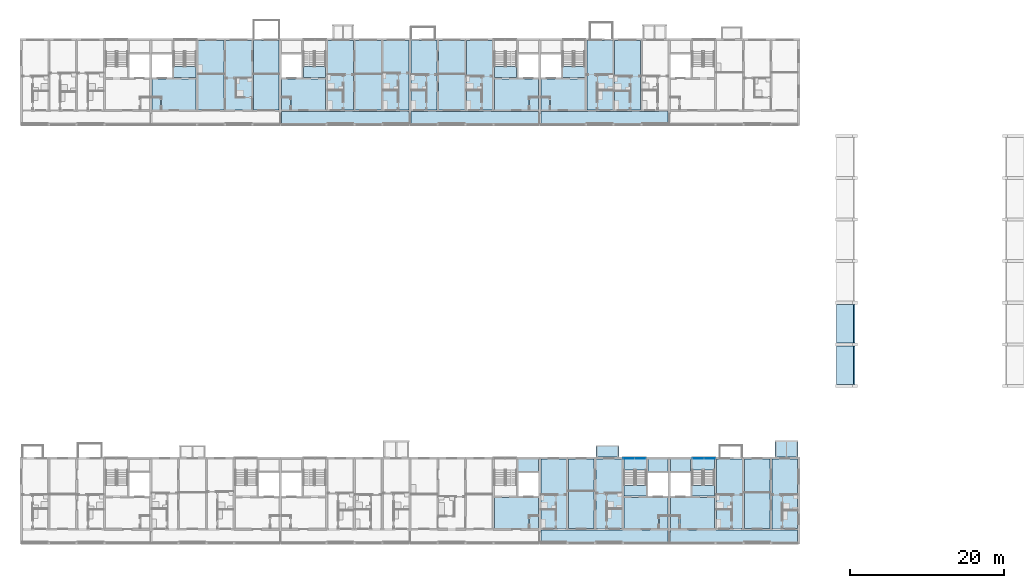
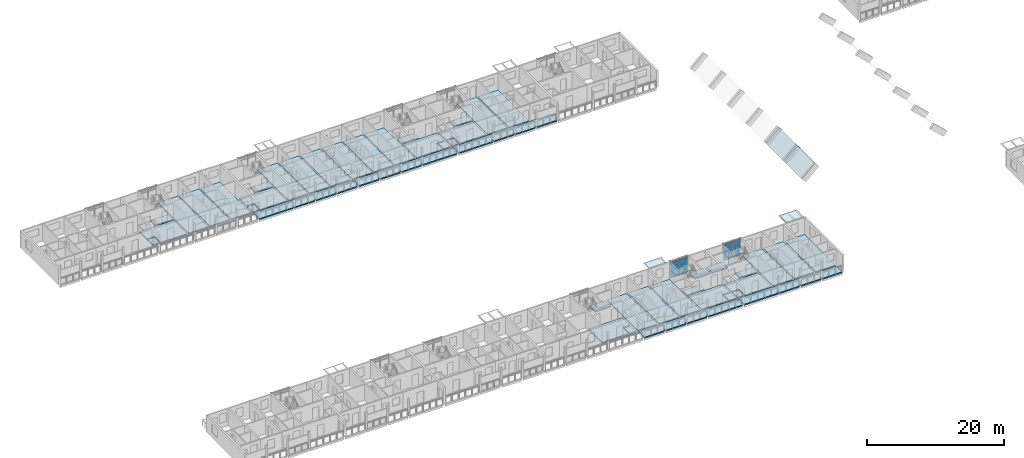
# One storey, part 25 of 98: 51 slabs, 8 plates, 4 elements without a shape of their own.
"""IFC4 building model written with IfcOpenShell, lengths in metres."""

from ifc_helpers import new_model, si_unit, direction, frame, origin, origin_2d, place, context, subcontext, project, spatial, polyline, rectangle, outline, extrude, material, layer, layer_set, type_object, element, aggregate, save


model = new_model("IFC4")

# Units and contexts
model_context = context("Model", 3, precision=1e-05, world=origin(), true_north=direction((0.0, 1.0)))
body_context = subcontext(model_context, "Body", "Model", "MODEL_VIEW")
ifc_project = project(units=[si_unit("LENGTHUNIT", "METRE"), si_unit("AREAUNIT", "SQUARE_METRE"), si_unit("VOLUMEUNIT", "CUBIC_METRE"), si_unit("PLANEANGLEUNIT", "RADIAN"), si_unit("MASSUNIT", "GRAM", prefix="KILO")], contexts=[model_context])

# Site, building, storey
site_placement = place(None, origin())
site = spatial("IfcSite", under=ifc_project, at=site_placement, CompositionType="ELEMENT")
building_placement = place(site_placement, origin())
building = spatial("IfcBuilding", under=site, at=building_placement, Name="Ridgestep Commons", CompositionType="ELEMENT")
storey_placement = place(building_placement, frame((0.0, 0.0, 12.0)))
storey = spatial("IfcBuildingStorey", under=building, at=storey_placement, Name="L04", CompositionType="ELEMENT", Elevation=12.0)

# Slabs
ifc_material_1 = material(Name="Precast concrete C40/50", Category="concrete")
ifc_layer_1 = layer(ifc_material_1, 0.199951171875)
ifc_layer_set_1 = layer_set([ifc_layer_1], Name="Gallery slab 200")
slab_type_1 = type_object("IfcSlabType", Name="Gallery slab 200", PredefinedType="FLOOR", material=ifc_layer_set_1)
slab_1_placement = place(storey_placement, frame((0.0, 0.0, -0.199951171875)))
element("IfcSlab", 1, at=slab_1_placement, inside=storey, type_object=slab_type_1, Name="Gallery slab A5 L04", PredefinedType="FLOOR", context=body_context, shape_type="SweptSolid", body=[
    extrude(outline(polyline([(95.85009765625, 13.550048828125), (79.35009765625, 13.550048828125), (79.35009765625, 11.75), (82.675048828125, 11.75), (82.675048828125, 12.0), (82.925048828125, 12.0), (82.925048828125, 11.75), (86.27490234375, 11.75), (86.27490234375, 12.0), (86.52490234375, 12.0), (86.52490234375, 11.75), (89.875, 11.75), (89.875, 12.0), (90.125, 12.0), (90.125, 11.75), (95.85009765625, 11.75), (95.85009765625, 13.550048828125)])), origin(), (0.0, 0.0, 1.0), 0.199951171875),
])
slab_2_placement = place(storey_placement, frame((0.0, 0.0, -0.199951171875)))
element("IfcSlab", 2, at=slab_2_placement, inside=storey, type_object=slab_type_1, Name="Gallery slab A6 L04", PredefinedType="FLOOR", context=body_context, shape_type="SweptSolid", body=[
    extrude(outline(polyline([(112.64990234375, 13.550048828125), (96.14990234375, 13.550048828125), (96.14990234375, 11.75), (101.875, 11.75), (101.875, 12.0), (102.125, 12.0), (102.125, 11.75), (105.47509765625, 11.75), (105.47509765625, 12.0), (105.72509765625, 12.0), (105.72509765625, 11.75), (109.074951171875, 11.75), (109.074951171875, 12.0), (109.324951171875, 12.0), (109.324951171875, 11.75), (112.64990234375, 11.75), (112.64990234375, 13.550048828125)])), origin(), (0.0, 0.0, 1.0), 0.199951171875),
])
slab_3_placement = place(storey_placement, frame((0.0, 0.0, -0.199951171875)))
element("IfcSlab", 3, at=slab_3_placement, inside=storey, type_object=slab_type_1, Name="Gallery slab B3 L04", PredefinedType="FLOOR", context=body_context, shape_type="SweptSolid", body=[
    extrude(outline(polyline([(62.25, 67.800048828125), (45.75, 67.800048828125), (45.75, 66.0), (51.47509765625, 66.0), (51.47509765625, 66.25), (51.72509765625, 66.25), (51.72509765625, 66.0), (55.074951171875, 66.0), (55.074951171875, 66.25), (55.324951171875, 66.25), (55.324951171875, 66.0), (58.675048828125, 66.0), (58.675048828125, 66.25), (58.925048828125, 66.25), (58.925048828125, 66.0), (62.25, 66.0), (62.25, 67.800048828125)])), origin(), (0.0, 0.0, 1.0), 0.199951171875),
])
slab_4_placement = place(storey_placement, frame((0.0, 0.0, -0.199951171875)))
element("IfcSlab", 4, at=slab_4_placement, inside=storey, type_object=slab_type_1, Name="Gallery slab B4 L04", PredefinedType="FLOOR", context=body_context, shape_type="SweptSolid", body=[
    extrude(outline(polyline([(79.050048828125, 67.800048828125), (62.550048828125, 67.800048828125), (62.550048828125, 66.0), (65.875, 66.0), (65.875, 66.25), (66.125, 66.25), (66.125, 66.0), (69.47509765625, 66.0), (69.47509765625, 66.25), (69.72509765625, 66.25), (69.72509765625, 66.0), (73.074951171875, 66.0), (73.074951171875, 66.25), (73.324951171875, 66.25), (73.324951171875, 66.0), (79.050048828125, 66.0), (79.050048828125, 67.800048828125)])), origin(), (0.0, 0.0, 1.0), 0.199951171875),
])
slab_5_placement = place(storey_placement, frame((0.0, 0.0, -0.199951171875)))
element("IfcSlab", 5, at=slab_5_placement, inside=storey, type_object=slab_type_1, Name="Gallery slab B5 L04", PredefinedType="FLOOR", context=body_context, shape_type="SweptSolid", body=[
    extrude(outline(polyline([(95.85009765625, 67.800048828125), (79.35009765625, 67.800048828125), (79.35009765625, 66.0), (85.074951171875, 66.0), (85.074951171875, 66.25), (85.324951171875, 66.25), (85.324951171875, 66.0), (88.675048828125, 66.0), (88.675048828125, 66.25), (88.925048828125, 66.25), (88.925048828125, 66.0), (92.27490234375, 66.0), (92.27490234375, 66.25), (92.52490234375, 66.25), (92.52490234375, 66.0), (95.85009765625, 66.0), (95.85009765625, 67.800048828125)])), origin(), (0.0, 0.0, 1.0), 0.199951171875),
])

# Curtain wall, plates
ifc_material_2 = material(Name="Aluminium 6063-T6 and glass", Category="aluminium")
curtain_wall_type = type_object("IfcCurtainWallType", Name="Curtain wall stair strip", PredefinedType="NOTDEFINED", material=ifc_material_2)
curtain_wall_1_placement = place(storey_placement, origin())
curtain_wall_1 = element("IfcCurtainWall", 6, at=curtain_wall_1_placement, inside=storey, type_object=curtain_wall_type, Name="Curtain wall A5C level 04", PredefinedType="NOTDEFINED")
ifc_material_3 = material(Name="Glass laminated 6/16/6 low-emissivity", Category="glass")
ifc_layer_2 = layer(ifc_material_3, 0.028076171875)
ifc_layer_set_2 = layer_set([ifc_layer_2], Name="Glazing panel 28")
plate_type_1 = type_object("IfcPlateType", Name="Glazing panel 28", PredefinedType="CURTAIN_PANEL", material=ifc_layer_set_2)
plate_1_placement = place(storey_placement, frame((90.771240234375, 22.830078125, 0.06005859375), z_axis=(0.0, 0.0, 1.0), x_axis=(1.0, 0.0, 0.0)))
plate_1 = element("IfcPlate", 7, at=plate_1_placement, type_object=plate_type_1, Name="CW1 panel 1.1", PredefinedType="CURTAIN_PANEL", context=body_context, shape_type="SweptSolid", body=[
    extrude(rectangle(XDim=1.422607421875, YDim=0.028076171875, at=origin_2d()), origin(), (0.0, 0.0, 1.0), 2.5),
])
plate_2_placement = place(storey_placement, frame((92.253662109375, 22.830078125, 0.06005859375), z_axis=(0.0, 0.0, 1.0), x_axis=(1.0, 0.0, 0.0)))
plate_2 = element("IfcPlate", 8, at=plate_2_placement, type_object=plate_type_1, Name="CW1 panel 2.1", PredefinedType="CURTAIN_PANEL", context=body_context, shape_type="SweptSolid", body=[
    extrude(rectangle(XDim=1.422607421875, YDim=0.028076171875, at=origin_2d()), origin(), (0.0, 0.0, 1.0), 2.5),
])

curtain_wall_2_placement = place(storey_placement, origin())
curtain_wall_2 = element("IfcCurtainWall", 9, at=curtain_wall_2_placement, inside=storey, type_object=curtain_wall_type, Name="Curtain wall A6C level 04", PredefinedType="NOTDEFINED")
plate_3_placement = place(storey_placement, frame((99.746337890625, 22.830078125, 0.06005859375), z_axis=(0.0, 0.0, 1.0), x_axis=(1.0, 0.0, 0.0)))
plate_3 = element("IfcPlate", 10, at=plate_3_placement, type_object=plate_type_1, Name="CW1 panel 1.1", PredefinedType="CURTAIN_PANEL", context=body_context, shape_type="SweptSolid", body=[
    extrude(rectangle(XDim=1.422607421875, YDim=0.028076171875, at=origin_2d()), origin(), (0.0, 0.0, 1.0), 2.5),
])
plate_4_placement = place(storey_placement, frame((101.228759765625, 22.830078125, 0.06005859375), z_axis=(0.0, 0.0, 1.0), x_axis=(1.0, 0.0, 0.0)))
plate_4 = element("IfcPlate", 11, at=plate_4_placement, type_object=plate_type_1, Name="CW1 panel 2.1", PredefinedType="CURTAIN_PANEL", context=body_context, shape_type="SweptSolid", body=[
    extrude(rectangle(XDim=1.422607421875, YDim=0.028076171875, at=origin_2d()), origin(), (0.0, 0.0, 1.0), 2.5),
])

# Slabs
ifc_material_4 = material(Name="Precast concrete C50/60", Category="concrete")
ifc_layer_3 = layer(ifc_material_4, 0.199951171875)
ifc_layer_set_3 = layer_set([ifc_layer_3], Name="Hall roof plank 200")
slab_type_2 = type_object("IfcSlabType", Name="Hall roof plank 200", PredefinedType="ROOF", material=ifc_layer_set_3)
for number, where, z_axis, x_axis, name in (
    (12, (117.70068359375, 32.39990234375, 2.32861328125), (-0.680984042462, 0.0, 0.732298254751), (0.732298254751, 0.0, 0.680984042462), "Hall barrel vault panel 3"),
    (13, (117.70068359375, 37.800048828125, 2.32861328125), (-0.680984042462, 0.0, 0.732298254751), (0.732298254751, 0.0, 0.680984042462), "Hall barrel vault panel 15"),
):
    element("IfcSlab", number, at=place(storey_placement, frame(where, z_axis=z_axis, x_axis=x_axis)), inside=storey, type_object=slab_type_2, Name=name, PredefinedType="ROOF", context=body_context, shape_type="SweptSolid", body=[
        extrude(outline(polyline([(0.0, 0.0), (3.021176589449583, 0.0), (3.021176589449583, 5.0), (0.0, 5.0), (0.0, 0.0)])), origin(), (0.0, 0.0, -1.0), 0.199951171875),
    ])
ifc_material_5 = material(Name="Precast concrete C50/60", Category="concrete")
ifc_layer_4 = layer(ifc_material_5, 0.199951171875)
ifc_layer_set_4 = layer_set([ifc_layer_4], Name="Hollow-core plank 200")
slab_type_3 = type_object("IfcSlabType", Name="Hollow-core plank 200", PredefinedType="FLOOR", material=ifc_layer_set_4)
slab_6_placement = place(storey_placement, frame((0.0, 0.0, -0.199951171875)))
element("IfcSlab", 14, at=slab_6_placement, inside=storey, type_object=slab_type_3, Name="Floor plank A5T1 L04", PredefinedType="FLOOR", context=body_context, shape_type="SweptSolid", body=[
    extrude(outline(polyline([(82.675048828125, 13.75), (82.675048828125, 22.75), (79.35009765625, 22.75), (79.35009765625, 13.75), (82.675048828125, 13.75)])), origin(), (0.0, 0.0, 1.0), 0.199951171875),
])
slab_7_placement = place(storey_placement, frame((0.0, 0.0, -0.199951171875)))
element("IfcSlab", 15, at=slab_7_placement, inside=storey, type_object=slab_type_3, Name="Floor plank A5T2 L04", PredefinedType="FLOOR", context=body_context, shape_type="SweptSolid", body=[
    extrude(outline(polyline([(86.27490234375, 13.75), (86.27490234375, 22.75), (82.925048828125, 22.75), (82.925048828125, 13.75), (86.27490234375, 13.75)])), origin(), (0.0, 0.0, 1.0), 0.199951171875),
])
slab_8_placement = place(storey_placement, frame((0.0, 0.0, -0.199951171875)))
element("IfcSlab", 16, at=slab_8_placement, inside=storey, type_object=slab_type_3, Name="Floor plank A5T3 L04", PredefinedType="FLOOR", context=body_context, shape_type="SweptSolid", body=[
    extrude(outline(polyline([(89.875, 13.75), (89.875, 22.75), (86.52490234375, 22.75), (86.52490234375, 13.75), (89.875, 13.75)])), origin(), (0.0, 0.0, 1.0), 0.199951171875),
])
slab_9_placement = place(storey_placement, frame((0.0, 0.0, -0.199951171875)))
element("IfcSlab", 17, at=slab_9_placement, inside=storey, type_object=slab_type_3, Name="Floor plank A6T3 L04", PredefinedType="FLOOR", context=body_context, shape_type="SweptSolid", body=[
    extrude(outline(polyline([(105.47509765625, 13.75), (105.47509765625, 22.75), (102.125, 22.75), (102.125, 13.75), (105.47509765625, 13.75)])), origin(), (0.0, 0.0, 1.0), 0.199951171875),
])
slab_10_placement = place(storey_placement, frame((0.0, 0.0, -0.199951171875)))
element("IfcSlab", 18, at=slab_10_placement, inside=storey, type_object=slab_type_3, Name="Floor plank A6T2 L04", PredefinedType="FLOOR", context=body_context, shape_type="SweptSolid", body=[
    extrude(outline(polyline([(109.074951171875, 13.75), (109.074951171875, 22.75), (105.72509765625, 22.75), (105.72509765625, 13.75), (109.074951171875, 13.75)])), origin(), (0.0, 0.0, 1.0), 0.199951171875),
])
slab_11_placement = place(storey_placement, frame((0.0, 0.0, -0.199951171875)))
element("IfcSlab", 19, at=slab_11_placement, inside=storey, type_object=slab_type_3, Name="Floor plank A6T1 L04", PredefinedType="FLOOR", context=body_context, shape_type="SweptSolid", body=[
    extrude(outline(polyline([(112.64990234375, 13.75), (112.64990234375, 22.75), (109.324951171875, 22.75), (109.324951171875, 13.75), (112.64990234375, 13.75)])), origin(), (0.0, 0.0, 1.0), 0.199951171875),
])
slab_12_placement = place(storey_placement, frame((0.0, 0.0, -0.199951171875)))
element("IfcSlab", 20, at=slab_12_placement, inside=storey, type_object=slab_type_3, Name="Floor plank B2T3 L04", PredefinedType="FLOOR", context=body_context, shape_type="SweptSolid", body=[
    extrude(outline(polyline([(38.300048828125, 68.0), (38.300048828125, 77.0), (34.925048828125, 77.0), (34.925048828125, 68.0), (38.300048828125, 68.0)])), origin(), (0.0, 0.0, 1.0), 0.199951171875),
])
slab_13_placement = place(storey_placement, frame((0.0, 0.0, -0.199951171875)))
element("IfcSlab", 21, at=slab_13_placement, inside=storey, type_object=slab_type_3, Name="Floor plank B2T2 L04", PredefinedType="FLOOR", context=body_context, shape_type="SweptSolid", body=[
    extrude(outline(polyline([(41.89990234375, 68.0), (41.89990234375, 77.0), (38.5, 77.0), (38.5, 68.0), (41.89990234375, 68.0)])), origin(), (0.0, 0.0, 1.0), 0.199951171875),
])
slab_14_placement = place(storey_placement, frame((0.0, 0.0, -0.199951171875)))
element("IfcSlab", 22, at=slab_14_placement, inside=storey, type_object=slab_type_3, Name="Floor plank B2T1 L04", PredefinedType="FLOOR", context=body_context, shape_type="SweptSolid", body=[
    extrude(outline(polyline([(45.449951171875, 68.0), (45.449951171875, 77.0), (42.10009765625, 77.0), (42.10009765625, 68.0), (45.449951171875, 68.0)])), origin(), (0.0, 0.0, 1.0), 0.199951171875),
])
slab_15_placement = place(storey_placement, frame((0.0, 0.0, -0.199951171875)))
element("IfcSlab", 23, at=slab_15_placement, inside=storey, type_object=slab_type_3, Name="Floor plank B3T3 L04", PredefinedType="FLOOR", context=body_context, shape_type="SweptSolid", body=[
    extrude(outline(polyline([(55.10009765625, 68.0), (55.10009765625, 77.0), (51.72509765625, 77.0), (51.72509765625, 68.0), (55.10009765625, 68.0)])), origin(), (0.0, 0.0, 1.0), 0.199951171875),
])
slab_16_placement = place(storey_placement, frame((0.0, 0.0, -0.199951171875)))
element("IfcSlab", 24, at=slab_16_placement, inside=storey, type_object=slab_type_3, Name="Floor plank B3T2 L04", PredefinedType="FLOOR", context=body_context, shape_type="SweptSolid", body=[
    extrude(outline(polyline([(58.699951171875, 68.0), (58.699951171875, 77.0), (55.300048828125, 77.0), (55.300048828125, 68.0), (58.699951171875, 68.0)])), origin(), (0.0, 0.0, 1.0), 0.199951171875),
])
slab_17_placement = place(storey_placement, frame((0.0, 0.0, -0.199951171875)))
element("IfcSlab", 25, at=slab_17_placement, inside=storey, type_object=slab_type_3, Name="Floor plank B3T1 L04", PredefinedType="FLOOR", context=body_context, shape_type="SweptSolid", body=[
    extrude(outline(polyline([(62.25, 68.0), (62.25, 77.0), (58.89990234375, 77.0), (58.89990234375, 68.0), (62.25, 68.0)])), origin(), (0.0, 0.0, 1.0), 0.199951171875),
])
slab_18_placement = place(storey_placement, frame((0.0, 0.0, -0.199951171875)))
element("IfcSlab", 26, at=slab_18_placement, inside=storey, type_object=slab_type_3, Name="Floor plank B4T1 L04", PredefinedType="FLOOR", context=body_context, shape_type="SweptSolid", body=[
    extrude(outline(polyline([(65.89990234375, 68.0), (65.89990234375, 77.0), (62.550048828125, 77.0), (62.550048828125, 68.0), (65.89990234375, 68.0)])), origin(), (0.0, 0.0, 1.0), 0.199951171875),
])
slab_19_placement = place(storey_placement, frame((0.0, 0.0, -0.199951171875)))
element("IfcSlab", 27, at=slab_19_placement, inside=storey, type_object=slab_type_3, Name="Floor plank B4T2 L04", PredefinedType="FLOOR", context=body_context, shape_type="SweptSolid", body=[
    extrude(outline(polyline([(69.5, 68.0), (69.5, 77.0), (66.10009765625, 77.0), (66.10009765625, 68.0), (69.5, 68.0)])), origin(), (0.0, 0.0, 1.0), 0.199951171875),
])
slab_20_placement = place(storey_placement, frame((0.0, 0.0, -0.199951171875)))
element("IfcSlab", 28, at=slab_20_placement, inside=storey, type_object=slab_type_3, Name="Floor plank B4T3 L04", PredefinedType="FLOOR", context=body_context, shape_type="SweptSolid", body=[
    extrude(outline(polyline([(73.074951171875, 68.0), (73.074951171875, 77.0), (69.699951171875, 77.0), (69.699951171875, 68.0), (73.074951171875, 68.0)])), origin(), (0.0, 0.0, 1.0), 0.199951171875),
])
slab_21_placement = place(storey_placement, frame((0.0, 0.0, -0.199951171875)))
element("IfcSlab", 29, at=slab_21_placement, inside=storey, type_object=slab_type_3, Name="Floor plank B5T3 L04", PredefinedType="FLOOR", context=body_context, shape_type="SweptSolid", body=[
    extrude(outline(polyline([(88.699951171875, 68.0), (88.699951171875, 77.0), (85.324951171875, 77.0), (85.324951171875, 68.0), (88.699951171875, 68.0)])), origin(), (0.0, 0.0, 1.0), 0.199951171875),
])
slab_22_placement = place(storey_placement, frame((0.0, 0.0, -0.199951171875)))
element("IfcSlab", 30, at=slab_22_placement, inside=storey, type_object=slab_type_3, Name="Floor plank B5T2 L04", PredefinedType="FLOOR", context=body_context, shape_type="SweptSolid", body=[
    extrude(outline(polyline([(92.300048828125, 68.0), (92.300048828125, 77.0), (88.89990234375, 77.0), (88.89990234375, 68.0), (92.300048828125, 68.0)])), origin(), (0.0, 0.0, 1.0), 0.199951171875),
])
ifc_material_6 = material(Name="Precast concrete C50/60", Category="concrete")
ifc_layer_5 = layer(ifc_material_6, 0.25)
ifc_layer_set_5 = layer_set([ifc_layer_5], Name="Hollow-core plank 250")
slab_type_4 = type_object("IfcSlabType", Name="Hollow-core plank 250", PredefinedType="FLOOR", material=ifc_layer_set_5)
slab_23_placement = place(storey_placement, frame((0.0, 0.0, -0.25)))
element("IfcSlab", 31, at=slab_23_placement, inside=storey, type_object=slab_type_4, Name="Floor plank A4C L04", PredefinedType="FLOOR", context=body_context, shape_type="SweptSolid", body=[
    extrude(outline(polyline([(77.919921875, 15.469970703125), (79.050048828125, 15.469970703125), (79.050048828125, 17.75), (73.324951171875, 17.75), (73.324951171875, 13.75), (77.800048828125, 13.75), (77.800048828125, 15.469970703125), (77.919921875, 15.469970703125)])), origin(), (0.0, 0.0, 1.0), 0.25),
])
slab_24_placement = place(storey_placement, frame((0.0, 0.0, -0.25)))
element("IfcSlab", 32, at=slab_24_placement, inside=storey, type_object=slab_type_4, Name="Floor plank A4C L04", PredefinedType="FLOOR", context=body_context, shape_type="SweptSolid", body=[
    extrude(outline(polyline([(79.050048828125, 21.14990234375), (79.050048828125, 22.75), (76.425048828125, 22.75), (76.425048828125, 21.14990234375), (79.050048828125, 21.14990234375)])), origin(), (0.0, 0.0, 1.0), 0.25),
])
slab_25_placement = place(storey_placement, frame((0.0, 0.0, -0.25)))
element("IfcSlab", 33, at=slab_25_placement, inside=storey, type_object=slab_type_4, Name="Floor plank A4C L04", PredefinedType="FLOOR", context=body_context, shape_type="SweptSolid", body=[
    extrude(outline(polyline([(77.919921875, 13.75), (79.050048828125, 13.75), (79.050048828125, 15.35009765625), (77.919921875, 15.35009765625), (77.919921875, 13.75)])), origin(), (0.0, 0.0, 1.0), 0.25),
])
slab_26_placement = place(storey_placement, frame((0.0, 0.0, -0.25)))
element("IfcSlab", 34, at=slab_26_placement, inside=storey, type_object=slab_type_4, Name="Floor plank A5C L04", PredefinedType="FLOOR", context=body_context, shape_type="SweptSolid", body=[
    extrude(outline(polyline([(94.719970703125, 15.469970703125), (95.85009765625, 15.469970703125), (95.85009765625, 17.75), (90.125, 17.75), (90.125, 13.75), (94.60009765625, 13.75), (94.60009765625, 15.469970703125), (94.719970703125, 15.469970703125)])), origin(), (0.0, 0.0, 1.0), 0.25),
])
slab_27_placement = place(storey_placement, frame((0.0, 0.0, -0.25)))
element("IfcSlab", 35, at=slab_27_placement, inside=storey, type_object=slab_type_4, Name="Floor plank A5C L04", PredefinedType="FLOOR", context=body_context, shape_type="SweptSolid", body=[
    extrude(outline(polyline([(95.85009765625, 21.14990234375), (95.85009765625, 22.75), (93.22509765625, 22.75), (93.22509765625, 21.14990234375), (95.85009765625, 21.14990234375)])), origin(), (0.0, 0.0, 1.0), 0.25),
])
slab_28_placement = place(storey_placement, frame((0.0, 0.0, -0.25)))
element("IfcSlab", 36, at=slab_28_placement, inside=storey, type_object=slab_type_4, Name="Floor plank A5C L04", PredefinedType="FLOOR", context=body_context, shape_type="SweptSolid", body=[
    extrude(outline(polyline([(93.02490234375, 17.949951171875), (93.02490234375, 19.35009765625), (90.125, 19.35009765625), (90.125, 17.949951171875), (93.02490234375, 17.949951171875)])), origin(), (0.0, 0.0, 1.0), 0.25),
])
slab_29_placement = place(storey_placement, frame((0.0, 0.0, -0.25)))
element("IfcSlab", 37, at=slab_29_placement, inside=storey, type_object=slab_type_4, Name="Floor plank A5C L04", PredefinedType="FLOOR", context=body_context, shape_type="SweptSolid", body=[
    extrude(outline(polyline([(94.719970703125, 13.75), (95.85009765625, 13.75), (95.85009765625, 15.35009765625), (94.719970703125, 15.35009765625), (94.719970703125, 13.75)])), origin(), (0.0, 0.0, 1.0), 0.25),
])
slab_30_placement = place(storey_placement, frame((0.0, 0.0, -0.25)))
element("IfcSlab", 38, at=slab_30_placement, inside=storey, type_object=slab_type_4, Name="Floor plank A6C L04", PredefinedType="FLOOR", context=body_context, shape_type="SweptSolid", body=[
    extrude(outline(polyline([(97.39990234375, 13.75), (101.875, 13.75), (101.875, 17.75), (96.14990234375, 17.75), (96.14990234375, 15.469970703125), (97.280029296875, 15.469970703125), (97.39990234375, 15.469970703125), (97.39990234375, 13.75)])), origin(), (0.0, 0.0, 1.0), 0.25),
])
slab_31_placement = place(storey_placement, frame((0.0, 0.0, -0.25)))
element("IfcSlab", 39, at=slab_31_placement, inside=storey, type_object=slab_type_4, Name="Floor plank A6C L04", PredefinedType="FLOOR", context=body_context, shape_type="SweptSolid", body=[
    extrude(outline(polyline([(98.77490234375, 22.75), (96.14990234375, 22.75), (96.14990234375, 21.14990234375), (98.77490234375, 21.14990234375), (98.77490234375, 22.75)])), origin(), (0.0, 0.0, 1.0), 0.25),
])
slab_32_placement = place(storey_placement, frame((0.0, 0.0, -0.25)))
element("IfcSlab", 40, at=slab_32_placement, inside=storey, type_object=slab_type_4, Name="Floor plank A6C L04", PredefinedType="FLOOR", context=body_context, shape_type="SweptSolid", body=[
    extrude(outline(polyline([(101.875, 17.949951171875), (101.875, 19.35009765625), (98.97509765625, 19.35009765625), (98.97509765625, 17.949951171875), (101.875, 17.949951171875)])), origin(), (0.0, 0.0, 1.0), 0.25),
])
slab_33_placement = place(storey_placement, frame((0.0, 0.0, -0.25)))
element("IfcSlab", 41, at=slab_33_placement, inside=storey, type_object=slab_type_4, Name="Floor plank A6C L04", PredefinedType="FLOOR", context=body_context, shape_type="SweptSolid", body=[
    extrude(outline(polyline([(97.280029296875, 15.35009765625), (96.14990234375, 15.35009765625), (96.14990234375, 13.75), (97.280029296875, 13.75), (97.280029296875, 15.35009765625)])), origin(), (0.0, 0.0, 1.0), 0.25),
])
slab_34_placement = place(storey_placement, frame((0.0, 0.0, -0.25)))
element("IfcSlab", 42, at=slab_34_placement, inside=storey, type_object=slab_type_4, Name="Floor plank B2C L04", PredefinedType="FLOOR", context=body_context, shape_type="SweptSolid", body=[
    extrude(outline(polyline([(30.199951171875, 68.0), (34.675048828125, 68.0), (34.675048828125, 72.0), (28.949951171875, 72.0), (28.949951171875, 69.719970703125), (30.080078125, 69.719970703125), (30.199951171875, 69.719970703125), (30.199951171875, 68.0)])), origin(), (0.0, 0.0, 1.0), 0.25),
])
slab_35_placement = place(storey_placement, frame((0.0, 0.0, -0.25)))
element("IfcSlab", 43, at=slab_35_placement, inside=storey, type_object=slab_type_4, Name="Floor plank B2C L04", PredefinedType="FLOOR", context=body_context, shape_type="SweptSolid", body=[
    extrude(outline(polyline([(34.675048828125, 72.199951171875), (34.675048828125, 73.60009765625), (31.77490234375, 73.60009765625), (31.77490234375, 72.199951171875), (34.675048828125, 72.199951171875)])), origin(), (0.0, 0.0, 1.0), 0.25),
])
slab_36_placement = place(storey_placement, frame((0.0, 0.0, -0.25)))
element("IfcSlab", 44, at=slab_36_placement, inside=storey, type_object=slab_type_4, Name="Floor plank B2C L04", PredefinedType="FLOOR", context=body_context, shape_type="SweptSolid", body=[
    extrude(outline(polyline([(30.080078125, 69.60009765625), (28.949951171875, 69.60009765625), (28.949951171875, 68.0), (30.080078125, 68.0), (30.080078125, 69.60009765625)])), origin(), (0.0, 0.0, 1.0), 0.25),
])
slab_37_placement = place(storey_placement, frame((0.0, 0.0, -0.25)))
element("IfcSlab", 45, at=slab_37_placement, inside=storey, type_object=slab_type_4, Name="Floor plank B3C L04", PredefinedType="FLOOR", context=body_context, shape_type="SweptSolid", body=[
    extrude(outline(polyline([(47.0, 68.0), (51.47509765625, 68.0), (51.47509765625, 72.0), (45.75, 72.0), (45.75, 69.719970703125), (46.8798828125, 69.719970703125), (47.0, 69.719970703125), (47.0, 68.0)])), origin(), (0.0, 0.0, 1.0), 0.25),
])
slab_38_placement = place(storey_placement, frame((0.0, 0.0, -0.25)))
element("IfcSlab", 46, at=slab_38_placement, inside=storey, type_object=slab_type_4, Name="Floor plank B3C L04", PredefinedType="FLOOR", context=body_context, shape_type="SweptSolid", body=[
    extrude(outline(polyline([(51.47509765625, 72.199951171875), (51.47509765625, 73.60009765625), (48.574951171875, 73.60009765625), (48.574951171875, 72.199951171875), (51.47509765625, 72.199951171875)])), origin(), (0.0, 0.0, 1.0), 0.25),
])
slab_39_placement = place(storey_placement, frame((0.0, 0.0, -0.25)))
element("IfcSlab", 47, at=slab_39_placement, inside=storey, type_object=slab_type_4, Name="Floor plank B3C L04", PredefinedType="FLOOR", context=body_context, shape_type="SweptSolid", body=[
    extrude(outline(polyline([(46.8798828125, 69.60009765625), (45.75, 69.60009765625), (45.75, 68.0), (46.8798828125, 68.0), (46.8798828125, 69.60009765625)])), origin(), (0.0, 0.0, 1.0), 0.25),
])
slab_40_placement = place(storey_placement, frame((0.0, 0.0, -0.25)))
element("IfcSlab", 48, at=slab_40_placement, inside=storey, type_object=slab_type_4, Name="Floor plank B4C L04", PredefinedType="FLOOR", context=body_context, shape_type="SweptSolid", body=[
    extrude(outline(polyline([(77.919921875, 69.719970703125), (79.050048828125, 69.719970703125), (79.050048828125, 72.0), (73.324951171875, 72.0), (73.324951171875, 68.0), (77.800048828125, 68.0), (77.800048828125, 69.719970703125), (77.919921875, 69.719970703125)])), origin(), (0.0, 0.0, 1.0), 0.25),
])
slab_41_placement = place(storey_placement, frame((0.0, 0.0, -0.25)))
element("IfcSlab", 49, at=slab_41_placement, inside=storey, type_object=slab_type_4, Name="Floor plank B4C L04", PredefinedType="FLOOR", context=body_context, shape_type="SweptSolid", body=[
    extrude(outline(polyline([(76.22509765625, 72.199951171875), (76.22509765625, 73.60009765625), (73.324951171875, 73.60009765625), (73.324951171875, 72.199951171875), (76.22509765625, 72.199951171875)])), origin(), (0.0, 0.0, 1.0), 0.25),
])
slab_42_placement = place(storey_placement, frame((0.0, 0.0, -0.25)))
element("IfcSlab", 50, at=slab_42_placement, inside=storey, type_object=slab_type_4, Name="Floor plank B4C L04", PredefinedType="FLOOR", context=body_context, shape_type="SweptSolid", body=[
    extrude(outline(polyline([(77.919921875, 68.0), (79.050048828125, 68.0), (79.050048828125, 69.60009765625), (77.919921875, 69.60009765625), (77.919921875, 68.0)])), origin(), (0.0, 0.0, 1.0), 0.25),
])
slab_43_placement = place(storey_placement, frame((0.0, 0.0, -0.25)))
element("IfcSlab", 51, at=slab_43_placement, inside=storey, type_object=slab_type_4, Name="Floor plank B5C L04", PredefinedType="FLOOR", context=body_context, shape_type="SweptSolid", body=[
    extrude(outline(polyline([(80.60009765625, 68.0), (85.074951171875, 68.0), (85.074951171875, 72.0), (79.35009765625, 72.0), (79.35009765625, 69.719970703125), (80.47998046875, 69.719970703125), (80.60009765625, 69.719970703125), (80.60009765625, 68.0)])), origin(), (0.0, 0.0, 1.0), 0.25),
])
slab_44_placement = place(storey_placement, frame((0.0, 0.0, -0.25)))
element("IfcSlab", 52, at=slab_44_placement, inside=storey, type_object=slab_type_4, Name="Floor plank B5C L04", PredefinedType="FLOOR", context=body_context, shape_type="SweptSolid", body=[
    extrude(outline(polyline([(85.074951171875, 72.199951171875), (85.074951171875, 73.60009765625), (82.175048828125, 73.60009765625), (82.175048828125, 72.199951171875), (85.074951171875, 72.199951171875)])), origin(), (0.0, 0.0, 1.0), 0.25),
])
slab_45_placement = place(storey_placement, frame((0.0, 0.0, -0.25)))
element("IfcSlab", 53, at=slab_45_placement, inside=storey, type_object=slab_type_4, Name="Floor plank B5C L04", PredefinedType="FLOOR", context=body_context, shape_type="SweptSolid", body=[
    extrude(outline(polyline([(80.47998046875, 69.60009765625), (79.35009765625, 69.60009765625), (79.35009765625, 68.0), (80.47998046875, 68.0), (80.47998046875, 69.60009765625)])), origin(), (0.0, 0.0, 1.0), 0.25),
])

# Plate
ifc_material_7 = material(Name="Aluminium 6063-T6 and mineral wool", Category="aluminium")
ifc_layer_6 = layer(ifc_material_7, 0.0400390625)
ifc_layer_set_6 = layer_set([ifc_layer_6], Name="Spandrel panel 40")
plate_type_2 = type_object("IfcPlateType", Name="Spandrel panel 40", PredefinedType="CURTAIN_PANEL", material=ifc_layer_set_6)
plate_5_placement = place(storey_placement, frame((90.771240234375, 22.830078125, 2.6201171875), z_axis=(0.0, 0.0, 1.0), x_axis=(1.0, 0.0, 0.0)))
plate_5 = element("IfcPlate", 54, at=plate_5_placement, type_object=plate_type_2, Name="CW1 panel 1.2", PredefinedType="CURTAIN_PANEL", context=body_context, shape_type="SweptSolid", body=[
    extrude(rectangle(XDim=1.422607421875, YDim=0.0400390625, at=origin_2d()), origin(), (0.0, 0.0, 1.0), 0.320068359375),
])

plate_6_placement = place(storey_placement, frame((92.253662109375, 22.830078125, 2.6201171875), z_axis=(0.0, 0.0, 1.0), x_axis=(1.0, 0.0, 0.0)))
plate_6 = element("IfcPlate", 55, at=plate_6_placement, type_object=plate_type_2, Name="CW1 panel 2.2", PredefinedType="CURTAIN_PANEL", context=body_context, shape_type="SweptSolid", body=[
    extrude(rectangle(XDim=1.422607421875, YDim=0.0400390625, at=origin_2d()), origin(), (0.0, 0.0, 1.0), 0.320068359375),
])

aggregate(curtain_wall_1, [plate_1, plate_5, plate_2, plate_6])

plate_7_placement = place(storey_placement, frame((99.746337890625, 22.830078125, 2.6201171875), z_axis=(0.0, 0.0, 1.0), x_axis=(1.0, 0.0, 0.0)))
plate_7 = element("IfcPlate", 56, at=plate_7_placement, type_object=plate_type_2, Name="CW1 panel 1.2", PredefinedType="CURTAIN_PANEL", context=body_context, shape_type="SweptSolid", body=[
    extrude(rectangle(XDim=1.422607421875, YDim=0.0400390625, at=origin_2d()), origin(), (0.0, 0.0, 1.0), 0.320068359375),
])

plate_8_placement = place(storey_placement, frame((101.228759765625, 22.830078125, 2.6201171875), z_axis=(0.0, 0.0, 1.0), x_axis=(1.0, 0.0, 0.0)))
plate_8 = element("IfcPlate", 57, at=plate_8_placement, type_object=plate_type_2, Name="CW1 panel 2.2", PredefinedType="CURTAIN_PANEL", context=body_context, shape_type="SweptSolid", body=[
    extrude(rectangle(XDim=1.422607421875, YDim=0.0400390625, at=origin_2d()), origin(), (0.0, 0.0, 1.0), 0.320068359375),
])

aggregate(curtain_wall_2, [plate_3, plate_7, plate_4, plate_8])

# Stair, slab
ifc_material_8 = material(Name="Precast concrete C40/50", Category="concrete")
stair_type = type_object("IfcStairType", Name="Escape stair 1400", PredefinedType="HALF_TURN_STAIR", material=ifc_material_8)
stair_1_placement = place(storey_placement, origin())
stair_1 = element("IfcStair", 58, at=stair_1_placement, inside=storey, type_object=stair_type, Name="L04 Escape stair A5C", PredefinedType="HALF_TURN_STAIR")
ifc_material_9 = material(Name="Precast concrete C40/50", Category="concrete")
ifc_layer_7 = layer(ifc_material_9, 0.199951171875)
ifc_layer_set_7 = layer_set([ifc_layer_7], Name="Stair landing 200")
slab_type_5 = type_object("IfcSlabType", Name="Stair landing 200", PredefinedType="LANDING", material=ifc_layer_set_7)
slab_46_placement = place(storey_placement, frame((0.0, 0.0, 1.300048828125)))
slab_46 = element("IfcSlab", 59, at=slab_46_placement, type_object=slab_type_5, Name="A5C landing 1", PredefinedType="LANDING", context=body_context, shape_type="SweptSolid", body=[
    extrude(outline(polyline([(93.02490234375, 21.31005859375), (93.02490234375, 22.75), (90.125, 22.75), (90.125, 21.31005859375), (93.02490234375, 21.31005859375)])), origin(), (0.0, 0.0, 1.0), 0.199951171875),
])
aggregate(stair_1, [slab_46])

stair_2_placement = place(storey_placement, origin())
stair_2 = element("IfcStair", 60, at=stair_2_placement, inside=storey, type_object=stair_type, Name="L04 Escape stair A6C", PredefinedType="HALF_TURN_STAIR")
slab_47_placement = place(storey_placement, frame((0.0, 0.0, 1.300048828125)))
slab_47 = element("IfcSlab", 61, at=slab_47_placement, type_object=slab_type_5, Name="A6C landing 1", PredefinedType="LANDING", context=body_context, shape_type="SweptSolid", body=[
    extrude(outline(polyline([(101.875, 21.31005859375), (101.875, 22.75), (98.97509765625, 22.75), (98.97509765625, 21.31005859375), (101.875, 21.31005859375)])), origin(), (0.0, 0.0, 1.0), 0.199951171875),
])
aggregate(stair_2, [slab_47])

# Slabs
ifc_material_10 = material(Name="Weathering steel S355J2W", Category="steel")
ifc_layer_8 = layer(ifc_material_10, 0.010009765625)
ifc_layer_set_8 = layer_set([ifc_layer_8], Name="Tray 3.0 x 1.5")
slab_type_6 = type_object("IfcSlabType", Name="Tray 3.0 x 1.5", PredefinedType="FLOOR", material=ifc_layer_set_8)
slab_48_placement = place(storey_placement, frame((0.0, 0.0, 2.989990234375)))
element("IfcSlab", 62, at=slab_48_placement, inside=storey, type_object=slab_type_6, Name="Tray deck A5T3-05", PredefinedType="FLOOR", context=body_context, shape_type="SweptSolid", body=[
    extrude(outline(polyline([(86.530029296875, 23.0), (89.469970703125, 23.0), (89.469970703125, 24.5), (86.530029296875, 24.5), (86.530029296875, 23.0)])), origin(), (0.0, 0.0, 1.0), 0.010009765625),
])
ifc_material_11 = material(Name="Weathering steel S355J2W", Category="steel")
ifc_layer_9 = layer(ifc_material_11, 0.010009765625)
ifc_layer_set_9 = layer_set([ifc_layer_9], Name="Tray 3.0 x 2.1")
slab_type_7 = type_object("IfcSlabType", Name="Tray 3.0 x 2.1", PredefinedType="FLOOR", material=ifc_layer_set_9)
slab_49_placement = place(storey_placement, frame((0.0, 0.0, 2.989990234375)))
element("IfcSlab", 63, at=slab_49_placement, inside=storey, type_object=slab_type_7, Name="Tray deck A6T1-05", PredefinedType="FLOOR", context=body_context, shape_type="SweptSolid", body=[
    extrude(outline(polyline([(109.72998046875, 23.0), (112.669921875, 23.0), (112.669921875, 25.10009765625), (109.72998046875, 25.10009765625), (109.72998046875, 23.0)])), origin(), (0.0, 0.0, 1.0), 0.010009765625),
])

save(model, "model.ifc")
